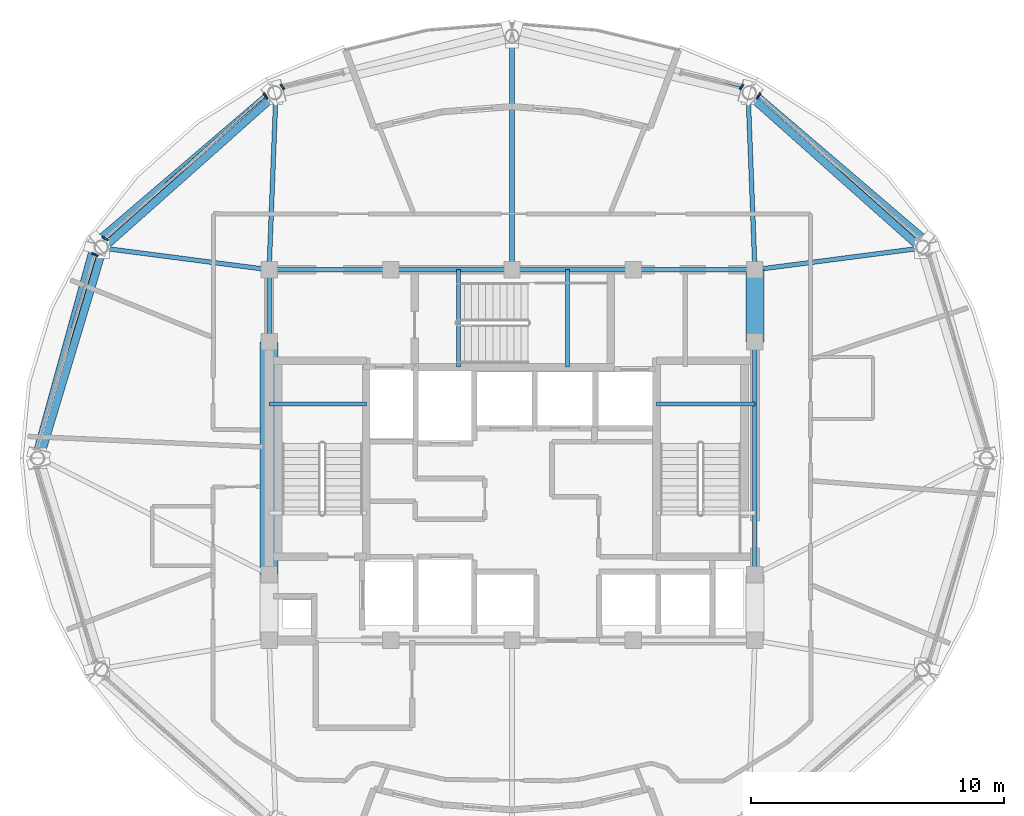
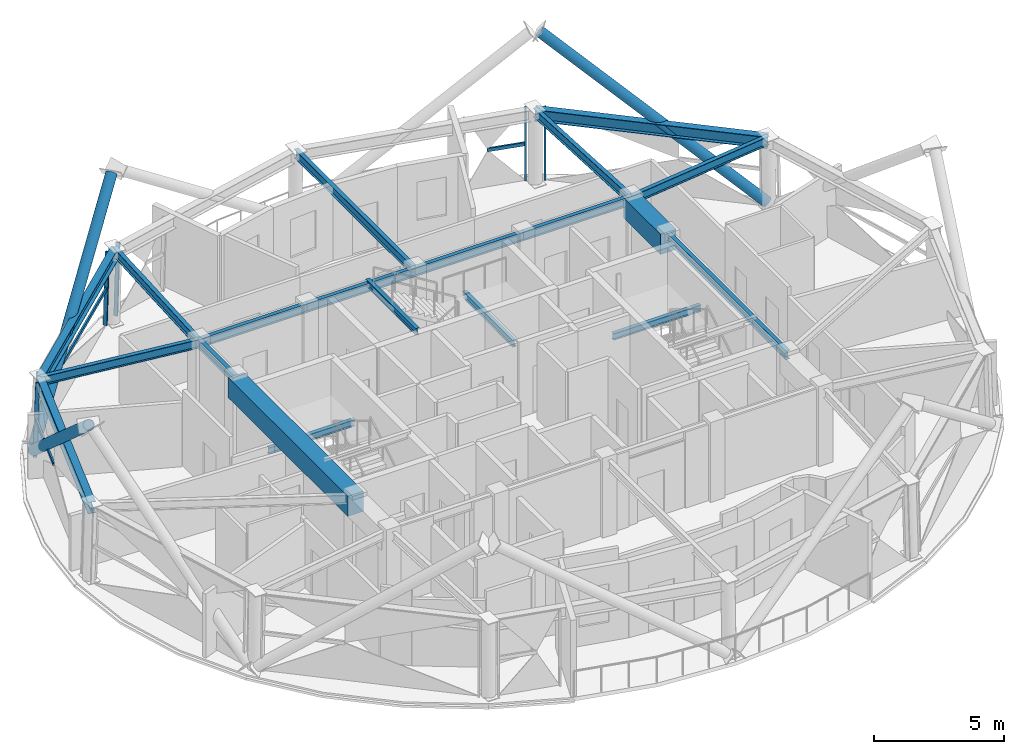
# One storey, part 3 of 13: 20 beams, 12 members, 5 elements without a shape of their own.
"""IFC4 building model written with IfcOpenShell, lengths in metres."""

import ifcopenshell
import ifcopenshell.guid

model = None  # the IFC model being written
_history = None  # IfcOwnerHistory: only IFC2X3 demands one
_inside = {}  # id of a spatial element -> (the spatial element, [elements in it])
_under = {}  # id of a project, library or spatial element -> (it, [spatial elements below it])
_declared = {}  # id of a project -> (the project, [libraries it declares])
_typed = {}  # id of a type object -> (the type object, [elements of that type])
_made_of = {}  # id of a material, layer set ... -> (it, [elements and type objects made of it])


def new_model(schema):
    """Start an empty IFC model of exactly this schema.

    Asked for "IFC4X3", IfcOpenShell would pick the latest addendum, in which some entities
    have other attributes; the version numbers below select the first issue.
    IFC2X3 requires an IfcOwnerHistory on every rooted entity: one is made here for all.
    """
    global model, _history
    if schema == "IFC4X3":
        model = ifcopenshell.file(schema_version=(4, 3, 0, 0))
    else:
        model = ifcopenshell.file(schema=schema)
    _inside.clear()
    _under.clear()
    _declared.clear()
    _typed.clear()
    _made_of.clear()
    _history = None
    if model.schema == "IFC2X3":
        org = make("IfcOrganization", Name="unknown")
        user = make(
            "IfcPersonAndOrganization",
            ThePerson=make("IfcPerson", FamilyName="unknown"),
            TheOrganization=org,
        )
        app = make(
            "IfcApplication",
            ApplicationDeveloper=org,
            Version="unknown",
            ApplicationFullName="unknown",
            ApplicationIdentifier="unknown",
        )
        _history = make(
            "IfcOwnerHistory",
            OwningUser=user,
            OwningApplication=app,
            ChangeAction="ADDED",
            CreationDate=0,
        )
    return model


def make(cls, **values):
    """One entity of the class cls with the attributes given. An attribute that is None is left unset."""
    return model.create_entity(
        cls, **{name: value for name, value in values.items() if value is not None}
    )


def rooted(cls, **values):
    """An entity with a GlobalId (a new one), such as an element, a storey or a relation."""
    return make(cls, GlobalId=ifcopenshell.guid.new(), OwnerHistory=_history, **values)


def si_unit(unit_type, name, prefix=None):
    """IfcSIUnit, for example si_unit("LENGTHUNIT", "METRE", prefix="MILLI")."""
    return make("IfcSIUnit", UnitType=unit_type, Prefix=prefix, Name=name)


def assignment(units):
    """IfcUnitAssignment: the units of a project."""
    return None if units is None else make("IfcUnitAssignment", Units=units)


def point(xyz):
    """IfcCartesianPoint."""
    return None if xyz is None else make("IfcCartesianPoint", Coordinates=xyz)


def direction(xyz):
    """IfcDirection."""
    return None if xyz is None else make("IfcDirection", DirectionRatios=xyz)


def frame(location, z_axis=None, x_axis=None):
    """IfcAxis2Placement3D, a coordinate frame: its origin and axes. An axis left out is left unset."""
    return make(
        "IfcAxis2Placement3D",
        Location=point(location),
        Axis=direction(z_axis),
        RefDirection=direction(x_axis),
    )


def frame_2d(location, x_axis=None):
    """IfcAxis2Placement2D, a coordinate frame in the plane: its origin and x axis."""
    return make(
        "IfcAxis2Placement2D", Location=point(location), RefDirection=direction(x_axis)
    )


def origin():
    """The frame at (0, 0, 0) with its axes left unset."""
    return frame((0.0, 0.0, 0.0))


def origin_2d():
    """The frame at (0, 0) in the plane with its x axis left unset."""
    return frame_2d((0.0, 0.0))


def place(relative_to, where):
    """IfcLocalPlacement: puts the frame where relative to a parent placement (None: the world)."""
    return make(
        "IfcLocalPlacement", PlacementRelTo=relative_to, RelativePlacement=where
    )


def context(
    kind, dimensions, precision=None, world=None, true_north=None, identifier=None
):
    """IfcGeometricRepresentationContext, for example the 3D "Model" context."""
    return make(
        "IfcGeometricRepresentationContext",
        ContextIdentifier=identifier,
        ContextType=kind,
        CoordinateSpaceDimension=dimensions,
        Precision=precision,
        WorldCoordinateSystem=world,
        TrueNorth=true_north,
    )


def subcontext(parent, identifier, kind, view, scale=None):
    """IfcGeometricRepresentationSubContext, for example "Body" below "Model"."""
    return make(
        "IfcGeometricRepresentationSubContext",
        ContextIdentifier=identifier,
        ContextType=kind,
        ParentContext=parent,
        TargetScale=scale,
        TargetView=view,
    )


def project(units=None, contexts=None):
    """IfcProject with its units and contexts."""
    return rooted(
        "IfcProject",
        Name="project",
        RepresentationContexts=contexts,
        UnitsInContext=assignment(units),
    )


def spatial(cls, under=None, at=None, **own):
    """A site, building, storey or space (cls), placed at a placement, below another one or the project."""
    s = rooted(cls, ObjectPlacement=at, **own)
    if under is not None:
        _under.setdefault(under.id(), (under, []))[1].append(s)
    return s


def profile(cls, at=None, kind="AREA", **sizes):
    """A parametric profile (cls). Its sizes go by their IFC names, for example OverallWidth=200.0."""
    return make(cls, ProfileType=kind, Position=at, **sizes)


def rectangle(**sizes):
    """IfcRectangleProfileDef."""
    return profile("IfcRectangleProfileDef", **sizes)


def hollow_rectangle(**sizes):
    """IfcRectangleHollowProfileDef."""
    return profile("IfcRectangleHollowProfileDef", **sizes)


def hollow_circle(**sizes):
    """IfcCircleHollowProfileDef."""
    return profile("IfcCircleHollowProfileDef", **sizes)


def i_section(**sizes):
    """IfcIShapeProfileDef."""
    return profile("IfcIShapeProfileDef", **sizes)


def extrude(swept, where, along, depth):
    """IfcExtrudedAreaSolid: the profile swept, set in the frame where, extruded along a direction by depth."""
    return make(
        "IfcExtrudedAreaSolid",
        SweptArea=swept,
        Position=where,
        ExtrudedDirection=direction(along),
        Depth=depth,
    )


def shape(context_of_items, identifier, shape_type, items):
    """IfcShapeRepresentation: the items that make up one representation, for example the "Body"."""
    return make(
        "IfcShapeRepresentation",
        ContextOfItems=context_of_items,
        RepresentationIdentifier=identifier,
        RepresentationType=shape_type,
        Items=items,
    )


def material(Name=None, Category=None):
    """IfcMaterial."""
    return make("IfcMaterial", Name=Name, Category=Category)


def layer(
    of_material, thickness, ventilated=None, Name=None, Category=None, Priority=None
):
    """IfcMaterialLayer: one layer of a wall or slab, of a material (None: an air gap)."""
    return make(
        "IfcMaterialLayer",
        Material=of_material,
        LayerThickness=thickness,
        IsVentilated=ventilated,
        Name=Name,
        Category=Category,
        Priority=Priority,
    )


def layer_set(layers, Name=None):
    """IfcMaterialLayerSet."""
    return make("IfcMaterialLayerSet", MaterialLayers=layers, LayerSetName=Name)


def material_profile(
    of_material, cross_section, Name=None, Category=None, Priority=None
):
    """IfcMaterialProfile: a cross section and its material."""
    return make(
        "IfcMaterialProfile",
        Name=Name,
        Material=of_material,
        Profile=cross_section,
        Priority=Priority,
        Category=Category,
    )


def profile_set(profiles, Name=None, composite=None):
    """IfcMaterialProfileSet."""
    return make(
        "IfcMaterialProfileSet",
        Name=Name,
        MaterialProfiles=profiles,
        CompositeProfile=composite,
    )


def made_of(thing, what):
    """Note that an element or type object is made of a material, layer set ...; save() writes the relation."""
    if what is not None:
        _made_of.setdefault(what.id(), (what, []))[1].append(thing)
    return thing


def type_object(cls, material=None, **own):
    """A type object (cls), such as IfcWallType, which elements share."""
    return made_of(rooted(cls, **own), material)


def element(
    cls,
    number,
    at=None,
    inside=None,
    cuts=None,
    type_object=None,
    material=None,
    context=None,
    identifier="Body",
    shape_type=None,
    held_by="IfcProductDefinitionShape",
    body=None,
    shapes=None,
    **own,
):
    """One element of the class cls, such as IfcWall. Its Tag is "e" and its number.

    at: its placement. inside: the storey or other place that contains it. cuts: it is an
    opening in that element (IfcRelVoidsElement). A single representation is given by context,
    identifier, shape_type and body (its items); several are given by shapes. held_by: the class
    of the entity that holds the representations. save() writes the other relations.
    """
    e = rooted(cls, Tag="e%d" % number, ObjectPlacement=at, **own)
    if body is not None:
        shapes = [shape(context, identifier, shape_type, body)]
    if shapes is not None:
        e.Representation = make(held_by, Representations=shapes)
    if inside is not None:
        _inside.setdefault(inside.id(), (inside, []))[1].append(e)
    if cuts is not None:
        rooted(
            "IfcRelVoidsElement", RelatingBuildingElement=cuts, RelatedOpeningElement=e
        )
    if type_object is not None:
        _typed.setdefault(type_object.id(), (type_object, []))[1].append(e)
    return made_of(e, material)


def aggregate(whole, parts):
    """IfcRelAggregates: a whole, such as a stair, and the parts it consists of."""
    return rooted("IfcRelAggregates", RelatingObject=whole, RelatedObjects=parts)


def save(model, path):
    """Write the relations noted so far, then the file.

    IfcRelAggregates (storeys below a building ...), IfcRelContainedInSpatialStructure (elements
    in a storey), IfcRelDefinesByType, IfcRelAssociatesMaterial and IfcRelDeclares: one each for
    every whole, place, type object, material and project.
    """
    for whole, parts in _under.values():
        aggregate(whole, parts)
    for where, things in _inside.values():
        rooted(
            "IfcRelContainedInSpatialStructure",
            RelatedElements=things,
            RelatingStructure=where,
        )
    for kind, things in _typed.values():
        rooted("IfcRelDefinesByType", RelatedObjects=things, RelatingType=kind)
    for what, things in _made_of.values():
        rooted("IfcRelAssociatesMaterial", RelatedObjects=things, RelatingMaterial=what)
    for by, libraries in _declared.values():
        rooted("IfcRelDeclares", RelatingContext=by, RelatedDefinitions=libraries)
    model.write(path)


model = new_model("IFC4")

# Units and contexts
model_context = context("Model", 3, precision=1e-05, world=origin(), true_north=direction((0.0, 1.0)))
body_context = subcontext(model_context, "Body", "Model", "MODEL_VIEW")
ifc_project = project(units=[si_unit("LENGTHUNIT", "METRE"), si_unit("AREAUNIT", "SQUARE_METRE"), si_unit("VOLUMEUNIT", "CUBIC_METRE"), si_unit("PLANEANGLEUNIT", "RADIAN"), si_unit("MASSUNIT", "GRAM", prefix="KILO")], contexts=[model_context])

# Site, building, storey
site_placement = place(None, origin())
site = spatial("IfcSite", under=ifc_project, at=site_placement, CompositionType="ELEMENT")
building_placement = place(site_placement, origin())
building = spatial("IfcBuilding", under=site, at=building_placement, Name="Vantalir Tower", CompositionType="ELEMENT")
storey_placement = place(building_placement, frame((0.0, 0.0, 282.60009765625)))
storey = spatial("IfcBuildingStorey", under=building, at=storey_placement, Name="L71", CompositionType="ELEMENT", Elevation=282.60009765625)

# Beams
ifc_material_1 = material(Name="Concrete C60/75", Category="concrete")
ifc_material_profile_1 = material_profile(ifc_material_1, rectangle(XDim=0.699951171875, YDim=0.949951171875, at=origin_2d()), Name="Concrete C60/75")
ifc_profile_set_1 = profile_set([ifc_material_profile_1], Name="Concrete C60/75")
beam_type_1 = type_object("IfcBeamType", Name="BM-CB-700x950", PredefinedType="USERDEFINED", material=ifc_profile_set_1)
beam_1_placement = place(storey_placement, frame((41.10009765625, 29.60009765625, 3.094970703125), z_axis=(0.0, 1.0, 0.0), x_axis=(-1.0, 0.0, 0.0)))
element("IfcBeam", 1, at=beam_1_placement, inside=storey, type_object=beam_type_1, Name="L71 Core Coupling Girder 07", ObjectType="GIRDER", PredefinedType="USERDEFINED", context=body_context, shape_type="SweptSolid", body=[
    extrude(rectangle(XDim=0.699951171875, YDim=0.949951171875, at=origin_2d()), origin(), (0.0, 0.0, 1.0), 2.849853515625),
])
beam_2_placement = place(storey_placement, frame((21.89990234375, 29.60009765625, 3.094970703125), z_axis=(0.0, -1.0, 0.0), x_axis=(1.0, 0.0, 0.0)))
element("IfcBeam", 2, at=beam_2_placement, inside=storey, type_object=beam_type_1, Name="L71 Core Coupling Girder 13", ObjectType="GIRDER", PredefinedType="USERDEFINED", context=body_context, shape_type="SweptSolid", body=[
    extrude(rectangle(XDim=0.699951171875, YDim=0.949951171875, at=origin_2d()), origin(), (0.0, 0.0, 1.0), 9.2001953125),
])
ifc_material_2 = material(Name="Steel S355", Category="steel")
ifc_material_profile_2 = material_profile(ifc_material_2, i_section(OverallWidth=0.166015625, OverallDepth=0.306884765625, WebThickness=0.006591796875, FlangeThickness=0.01171875, at=origin_2d()), Name="Steel S355")
ifc_profile_set_2 = profile_set([ifc_material_profile_2], Name="Steel S355")
beam_type_2 = type_object("IfcBeamType", Name="BM-JS-305x165", PredefinedType="JOIST", material=ifc_profile_set_2)
beam_3_placement = place(storey_placement, frame((21.89990234375, 27.14501953125, 1.52099609375), z_axis=(1.0, 0.0, 0.0), x_axis=(0.0, 1.0, 0.0)))
element("IfcBeam", 3, at=beam_3_placement, inside=storey, type_object=beam_type_2, Name="L71 Stair ST1 Half-Landing Support Beam", PredefinedType="JOIST", context=body_context, shape_type="SweptSolid", body=[
    extrude(i_section(OverallWidth=0.166015625, OverallDepth=0.306884765625, WebThickness=0.006591796875, FlangeThickness=0.01171875, at=origin_2d()), origin(), (0.0, 0.0, 1.0), 3.840087890625),
])
beam_4_placement = place(storey_placement, frame((37.2099609375, 27.14501953125, 1.52099609375), z_axis=(1.0, 0.0, 0.0), x_axis=(0.0, 1.0, 0.0)))
element("IfcBeam", 4, at=beam_4_placement, inside=storey, type_object=beam_type_2, Name="L71 Stair ST2 Half-Landing Support Beam", PredefinedType="JOIST", context=body_context, shape_type="SweptSolid", body=[
    extrude(i_section(OverallWidth=0.166015625, OverallDepth=0.306884765625, WebThickness=0.006591796875, FlangeThickness=0.01171875, at=origin_2d()), origin(), (0.0, 0.0, 1.0), 3.89013671875),
])
for number, where, z_axis, x_axis, name in (
    (5, (29.385009765625, 28.60009765625, 3.595947265625), (0.0, 1.0, 0.0), (-1.0, 0.0, 0.0), "L72 Stair ST3 Well Nosing Trimmer Beam"),
    (6, (33.695068359375, 28.60009765625, 1.52099609375), (0.0, 1.0, 0.0), (-1.0, 0.0, 0.0), "L71 Stair ST3 Half-Landing Support Beam"),
):
    element("IfcBeam", number, at=place(storey_placement, frame(where, z_axis=z_axis, x_axis=x_axis)), inside=storey, type_object=beam_type_2, Name=name, PredefinedType="JOIST", context=body_context, shape_type="SweptSolid", body=[
        extrude(i_section(OverallWidth=0.166015625, OverallDepth=0.306884765625, WebThickness=0.006591796875, FlangeThickness=0.01171875, at=origin_2d()), origin(), (0.0, 0.0, 1.0), 3.849853515625),
    ])
ifc_material_profile_3 = material_profile(ifc_material_2, i_section(OverallWidth=0.179931640625, OverallDepth=0.4130859375, WebThickness=0.009521484375, FlangeThickness=0.01611328125, at=origin_2d()), Name="Steel S355")
ifc_profile_set_3 = profile_set([ifc_material_profile_3], Name="Steel S355")
beam_type_3 = type_object("IfcBeamType", Name="BM-RB-406x178", PredefinedType="BEAM", material=ifc_profile_set_3)
beam_5_placement = place(storey_placement, frame((41.10009765625, 20.39990234375, 3.364013671875), z_axis=(0.0, 1.0, 0.0), x_axis=(-1.0, 0.0, 0.0)))
element("IfcBeam", 7, at=beam_5_placement, inside=storey, type_object=beam_type_3, Name="L71 Core Coupling Girder 06", PredefinedType="BEAM", context=body_context, shape_type="SweptSolid", body=[
    extrude(i_section(OverallWidth=0.179931640625, OverallDepth=0.4130859375, WebThickness=0.009521484375, FlangeThickness=0.01611328125, at=origin_2d()), origin(), (0.0, 0.0, 1.0), 9.2001953125),
])
for number, where, z_axis, x_axis, name in (
    (8, (41.10009765625, 32.449951171875, 3.364013671875), (-1.0, 0.0, 0.0), (0.0, -1.0, 0.0), "L71 Core Coupling Girder 08"),
    (9, (36.300048828125, 32.449951171875, 3.364013671875), (-1.0, 0.0, 0.0), (0.0, -1.0, 0.0), "L71 Core Coupling Girder 09"),
    (10, (31.5, 32.449951171875, 3.364013671875), (-1.0, 0.0, 0.0), (0.0, -1.0, 0.0), "L71 Core Coupling Girder 10"),
    (11, (26.699951171875, 32.449951171875, 3.364013671875), (-1.0, 0.0, 0.0), (0.0, -1.0, 0.0), "L71 Core Coupling Girder 11"),
):
    element("IfcBeam", number, at=place(storey_placement, frame(where, z_axis=z_axis, x_axis=x_axis)), inside=storey, type_object=beam_type_3, Name=name, PredefinedType="BEAM", context=body_context, shape_type="SweptSolid", body=[
        extrude(i_section(OverallWidth=0.179931640625, OverallDepth=0.4130859375, WebThickness=0.009521484375, FlangeThickness=0.01611328125, at=origin_2d()), origin(), (0.0, 0.0, 1.0), 4.800048828125),
    ])
beam_6_placement = place(storey_placement, frame((21.89990234375, 32.449951171875, 3.364013671875), z_axis=(0.0, -1.0, 0.0), x_axis=(1.0, 0.0, 0.0)))
element("IfcBeam", 12, at=beam_6_placement, inside=storey, type_object=beam_type_3, Name="L71 Core Coupling Girder 12", PredefinedType="BEAM", context=body_context, shape_type="SweptSolid", body=[
    extrude(i_section(OverallWidth=0.179931640625, OverallDepth=0.4130859375, WebThickness=0.009521484375, FlangeThickness=0.01611328125, at=origin_2d()), origin(), (0.0, 0.0, 1.0), 2.849853515625),
])
beam_7_placement = place(storey_placement, frame((47.6640625, 33.302978515625, 3.364013671875), z_axis=(-0.991661180383, -0.128872430419, 0.0), x_axis=(0.128872430419, -0.991661180383, 0.0)))
element("IfcBeam", 13, at=beam_7_placement, inside=storey, type_object=beam_type_3, Name="L71 Radial Floor Beam 02", PredefinedType="BEAM", context=body_context, shape_type="SweptSolid", body=[
    extrude(i_section(OverallWidth=0.179931640625, OverallDepth=0.4130859375, WebThickness=0.009521484375, FlangeThickness=0.01611328125, at=origin_2d()), origin(), (0.0, 0.0, 1.0), 6.619140625),
])
beam_8_placement = place(storey_placement, frame((40.8330078125, 39.381103515625, 3.364013671875), z_axis=(0.038506116616, -0.99925836448, 0.0), x_axis=(0.99925836448, 0.038506116616, 0.0)))
element("IfcBeam", 14, at=beam_8_placement, inside=storey, type_object=beam_type_3, Name="L71 Radial Floor Beam 03", PredefinedType="BEAM", context=body_context, shape_type="SweptSolid", body=[
    extrude(i_section(OverallWidth=0.179931640625, OverallDepth=0.4130859375, WebThickness=0.009521484375, FlangeThickness=0.01611328125, at=origin_2d()), origin(), (0.0, 0.0, 1.0), 6.936279296875),
])
beam_9_placement = place(storey_placement, frame((31.5, 41.60595703125, 3.364013671875), z_axis=(0.0, -1.0, 0.0), x_axis=(1.0, 0.0, 0.0)))
element("IfcBeam", 15, at=beam_9_placement, inside=storey, type_object=beam_type_3, Name="L71 Radial Floor Beam 04", PredefinedType="BEAM", context=body_context, shape_type="SweptSolid", body=[
    extrude(i_section(OverallWidth=0.179931640625, OverallDepth=0.4130859375, WebThickness=0.009521484375, FlangeThickness=0.01611328125, at=origin_2d()), origin(), (0.0, 0.0, 1.0), 9.156005859375),
])
beam_10_placement = place(storey_placement, frame((22.16796875, 39.381103515625, 3.364013671875), z_axis=(-0.038646696908, -0.999252937358, 0.0), x_axis=(0.999252937358, -0.038646696908, 0.0)))
element("IfcBeam", 16, at=beam_10_placement, inside=storey, type_object=beam_type_3, Name="L71 Radial Floor Beam 05", PredefinedType="BEAM", context=body_context, shape_type="SweptSolid", body=[
    extrude(i_section(OverallWidth=0.179931640625, OverallDepth=0.4130859375, WebThickness=0.009521484375, FlangeThickness=0.01611328125, at=origin_2d()), origin(), (0.0, 0.0, 1.0), 6.936279296875),
])
beam_11_placement = place(storey_placement, frame((15.3359375, 33.302978515625, 3.364013671875), z_axis=(0.991661180383, -0.128872430419, 0.0), x_axis=(0.128872430419, 0.991661180383, 0.0)))
element("IfcBeam", 17, at=beam_11_placement, inside=storey, type_object=beam_type_3, Name="L71 Radial Floor Beam 06", PredefinedType="BEAM", context=body_context, shape_type="SweptSolid", body=[
    extrude(i_section(OverallWidth=0.179931640625, OverallDepth=0.4130859375, WebThickness=0.009521484375, FlangeThickness=0.01611328125, at=origin_2d()), origin(), (0.0, 0.0, 1.0), 6.619140625),
])
ifc_material_3 = material(Name="Steel S460", Category="steel")
ifc_material_profile_4 = material_profile(ifc_material_3, i_section(OverallWidth=0.31201171875, OverallDepth=0.5419921875, WebThickness=0.0126953125, FlangeThickness=0.020263671875, at=origin_2d()), Name="Steel S460")
ifc_profile_set_4 = profile_set([ifc_material_profile_4], Name="Steel S460")
beam_type_4 = type_object("IfcBeamType", Name="BM-RG-533x312", PredefinedType="USERDEFINED", material=ifc_profile_set_4)
beam_12_placement = place(storey_placement, frame((47.6640625, 33.302978515625, 3.298828125), z_axis=(-0.747079245469, 0.664734985532, 0.0), x_axis=(-0.664734985532, -0.747079245469, 0.0)))
element("IfcBeam", 18, at=beam_12_placement, inside=storey, type_object=beam_type_4, Name="L71 Circumferential Ring Girder 02", ObjectType="GIRDER", PredefinedType="USERDEFINED", context=body_context, shape_type="SweptSolid", body=[
    extrude(i_section(OverallWidth=0.31201171875, OverallDepth=0.5419921875, WebThickness=0.0126953125, FlangeThickness=0.020263671875, at=origin_2d()), origin(), (0.0, 0.0, 1.0), 9.143798828125),
])
beam_13_placement = place(storey_placement, frame((22.16796875, 39.381103515625, 3.298828125), z_axis=(-0.747126432651, -0.664681949231, 0.0), x_axis=(0.664681949231, -0.747126432651, 0.0)))
element("IfcBeam", 19, at=beam_13_placement, inside=storey, type_object=beam_type_4, Name="L71 Circumferential Ring Girder 05", ObjectType="GIRDER", PredefinedType="USERDEFINED", context=body_context, shape_type="SweptSolid", body=[
    extrude(i_section(OverallWidth=0.31201171875, OverallDepth=0.5419921875, WebThickness=0.0126953125, FlangeThickness=0.020263671875, at=origin_2d()), origin(), (0.0, 0.0, 1.0), 9.14453125),
])
beam_14_placement = place(storey_placement, frame((15.3359375, 33.302978515625, 3.298828125), z_axis=(-0.288414477958, -0.957505659985, 0.0), x_axis=(0.957505659985, -0.288414477958, 0.0)))
element("IfcBeam", 20, at=beam_14_placement, inside=storey, type_object=beam_type_4, Name="L71 Circumferential Ring Girder 06", ObjectType="GIRDER", PredefinedType="USERDEFINED", context=body_context, shape_type="SweptSolid", body=[
    extrude(i_section(OverallWidth=0.31201171875, OverallDepth=0.5419921875, WebThickness=0.0126953125, FlangeThickness=0.020263671875, at=origin_2d()), origin(), (0.0, 0.0, 1.0), 8.67138671875),
])

# Curtain wall, member
ifc_material_4 = material(Name="Champagne-silver PVDF aluminium and double-silver Low-E glass", Category="aluminium")
ifc_layer = layer(ifc_material_4, 0.219970703125)
ifc_layer_set = layer_set([ifc_layer], Name="Champagne-silver PVDF aluminium and double-silver Low-E glass")
curtain_wall_type = type_object("IfcCurtainWallType", Name="CW-DIAMOND-Z4", PredefinedType="USERDEFINED", material=ifc_layer_set)
curtain_wall_1_placement = place(storey_placement, origin())
curtain_wall_1 = element("IfcCurtainWall", 21, at=curtain_wall_1_placement, inside=storey, type_object=curtain_wall_type, Name="L71 Quilted Pyramid-Diamond Curtain Wall S02", ObjectType="UNITISED CURTAIN WALL", PredefinedType="USERDEFINED")
ifc_material_5 = material(Name="Champagne-silver PVDF aluminium 6063-T6", Category="aluminium")
ifc_material_profile_5 = material_profile(ifc_material_5, hollow_rectangle(XDim=0.070068359375, YDim=0.1650390625, WallThickness=0.00390625, at=origin_2d()), Name="Champagne-silver PVDF aluminium 6063-T6")
ifc_profile_set_5 = profile_set([ifc_material_profile_5], Name="Champagne-silver PVDF aluminium 6063-T6")
member_type_1 = type_object("IfcMemberType", Name="CWM-165x70", PredefinedType="MULLION", material=ifc_profile_set_5)
member_1_placement = place(storey_placement, frame((41.27099609375, 39.367919921875, 0.044921875), z_axis=(-0.014937479726, -0.023212703237, 0.999618948454), x_axis=(0.840930749774, -0.541142748344, 0.0)))
member_1 = element("IfcMember", 22, at=member_1_placement, type_object=member_type_1, Name="CW-L71-S02 Mullion 2", PredefinedType="MULLION", context=body_context, shape_type="SweptSolid", body=[
    extrude(hollow_rectangle(XDim=0.070068359375, YDim=0.1650390625, WallThickness=0.00390625, at=origin_2d()), origin(), (0.0, 0.0, 1.0), 3.481201171875),
])
aggregate(curtain_wall_1, [member_1])

curtain_wall_2_placement = place(storey_placement, origin())
curtain_wall_2 = element("IfcCurtainWall", 23, at=curtain_wall_2_placement, inside=storey, type_object=curtain_wall_type, Name="L71 Quilted Pyramid-Diamond Curtain Wall S03", ObjectType="UNITISED CURTAIN WALL", PredefinedType="USERDEFINED")
member_2_placement = place(storey_placement, frame((40.60107421875, 39.718017578125, 0.044921875), z_axis=(-0.014937455373, -0.023282794291, 0.999617318736), x_axis=(0.841672342527, -0.539988581199, 0.0)))
member_2 = element("IfcMember", 24, at=member_2_placement, type_object=member_type_1, Name="CW-L71-S03 Mullion 1", PredefinedType="MULLION", context=body_context, shape_type="SweptSolid", body=[
    extrude(hollow_rectangle(XDim=0.070068359375, YDim=0.1650390625, WallThickness=0.00390625, at=origin_2d()), origin(), (0.0, 0.0, 1.0), 3.481201171875),
])

curtain_wall_3_placement = place(storey_placement, origin())
curtain_wall_3 = element("IfcCurtainWall", 25, at=curtain_wall_3_placement, inside=storey, type_object=curtain_wall_type, Name="L71 Quilted Pyramid-Diamond Curtain Wall S04", ObjectType="UNITISED CURTAIN WALL", PredefinedType="USERDEFINED")
member_3_placement = place(storey_placement, frame((22.39892578125, 39.718017578125, 0.044921875), z_axis=(0.015217906603, -0.023282695816, 0.999613090848), x_axis=(0.837058434918, 0.547113495112, 0.0)))
member_3 = element("IfcMember", 26, at=member_3_placement, type_object=member_type_1, Name="CW-L71-S04 Mullion 2", PredefinedType="MULLION", context=body_context, shape_type="SweptSolid", body=[
    extrude(hollow_rectangle(XDim=0.070068359375, YDim=0.1650390625, WallThickness=0.00390625, at=origin_2d()), origin(), (0.0, 0.0, 1.0), 3.4814453125),
])
aggregate(curtain_wall_3, [member_3])

# Curtain wall, members
curtain_wall_4_placement = place(storey_placement, origin())
curtain_wall_4 = element("IfcCurtainWall", 27, at=curtain_wall_4_placement, inside=storey, type_object=curtain_wall_type, Name="L71 Quilted Pyramid-Diamond Curtain Wall S05", ObjectType="UNITISED CURTAIN WALL", PredefinedType="USERDEFINED")
member_4_placement = place(storey_placement, frame((21.72900390625, 39.367919921875, 0.044921875), z_axis=(0.015217931413, -0.023212605058, 0.999614720545), x_axis=(0.836301342916, 0.548270064691, 0.0)))
member_4 = element("IfcMember", 28, at=member_4_placement, type_object=member_type_1, Name="CW-L71-S05 Mullion 1", PredefinedType="MULLION", context=body_context, shape_type="SweptSolid", body=[
    extrude(hollow_rectangle(XDim=0.070068359375, YDim=0.1650390625, WallThickness=0.00390625, at=origin_2d()), origin(), (0.0, 0.0, 1.0), 3.481201171875),
])
member_5_placement = place(storey_placement, frame((15.37109375, 33.7041015625, 0.044921875), z_axis=(0.026086664737, -0.013534210468, 0.99956806225), x_axis=(0.460526100671, 0.887646162951, 0.0)))
member_5 = element("IfcMember", 29, at=member_5_placement, type_object=member_type_1, Name="CW-L71-S05 Mullion 2", PredefinedType="MULLION", context=body_context, shape_type="SweptSolid", body=[
    extrude(hollow_rectangle(XDim=0.070068359375, YDim=0.1650390625, WallThickness=0.00390625, at=origin_2d()), origin(), (0.0, 0.0, 1.0), 3.4814453125),
])

# Curtain wall, member
curtain_wall_5_placement = place(storey_placement, origin())
curtain_wall_5 = element("IfcCurtainWall", 30, at=curtain_wall_5_placement, inside=storey, type_object=curtain_wall_type, Name="L71 Quilted Pyramid-Diamond Curtain Wall S06", ObjectType="UNITISED CURTAIN WALL", PredefinedType="USERDEFINED")
member_6_placement = place(storey_placement, frame((14.968017578125, 33.072021484375, 0.044921875), z_axis=(0.026156742266, -0.013534185676, 0.999566231248), x_axis=(0.459552467317, 0.888150623364, 0.0)))
member_6 = element("IfcMember", 31, at=member_6_placement, type_object=member_type_1, Name="CW-L71-S06 Mullion 1", PredefinedType="MULLION", context=body_context, shape_type="SweptSolid", body=[
    extrude(hollow_rectangle(XDim=0.070068359375, YDim=0.1650390625, WallThickness=0.00390625, at=origin_2d()), origin(), (0.0, 0.0, 1.0), 3.4814453125),
])

# Member
ifc_material_profile_6 = material_profile(ifc_material_5, hollow_rectangle(XDim=0.074951171875, YDim=0.159912109375, WallThickness=0.00390625, at=origin_2d()), Name="Champagne-silver PVDF aluminium 6063-T6")
ifc_profile_set_6 = profile_set([ifc_material_profile_6], Name="Champagne-silver PVDF aluminium 6063-T6")
member_type_2 = type_object("IfcMemberType", Name="CWT-160x75", PredefinedType="USERDEFINED", material=ifc_profile_set_6)
member_7_placement = place(storey_placement, frame((40.574951171875, 39.677001953125, 1.784912109375), z_axis=(-0.968930814317, 0.247331916799, 0.0), x_axis=(-0.247331916799, -0.968930814317, 0.0)))
member_7 = element("IfcMember", 32, at=member_7_placement, type_object=member_type_2, Name="CW-L71-S03 Pyramid Fold Ridge Transom", ObjectType="TRANSOM", PredefinedType="USERDEFINED", context=body_context, shape_type="SweptSolid", body=[
    extrude(hollow_rectangle(XDim=0.074951171875, YDim=0.159912109375, WallThickness=0.00390625, at=origin_2d()), origin(), (0.0, 0.0, 1.0), 1.52001953125),
])

aggregate(curtain_wall_2, [member_2, member_7])

member_8_placement = place(storey_placement, frame((21.7548828125, 39.326904296875, 1.784912109375), z_axis=(-0.749620014517, -0.661868441486, 0.0), x_axis=(0.661868441486, -0.749620014517, 0.0)))
member_8 = element("IfcMember", 33, at=member_8_placement, type_object=member_type_2, Name="CW-L71-S05 Pyramid Fold Ridge Transom", ObjectType="TRANSOM", PredefinedType="USERDEFINED", context=body_context, shape_type="SweptSolid", body=[
    extrude(hollow_rectangle(XDim=0.074951171875, YDim=0.159912109375, WallThickness=0.00390625, at=origin_2d()), origin(), (0.0, 0.0, 1.0), 5.2666015625),
])

aggregate(curtain_wall_4, [member_4, member_5, member_8])

member_9_placement = place(storey_placement, frame((15.012939453125, 33.048095703125, 1.784912109375), z_axis=(-0.295425982837, -0.955365630879, 0.0), x_axis=(0.955365630879, -0.295425982837, 0.0)))
member_9 = element("IfcMember", 34, at=member_9_placement, type_object=member_type_2, Name="CW-L71-S06 Pyramid Fold Ridge Transom", ObjectType="TRANSOM", PredefinedType="USERDEFINED", context=body_context, shape_type="SweptSolid", body=[
    extrude(hollow_rectangle(XDim=0.074951171875, YDim=0.159912109375, WallThickness=0.00390625, at=origin_2d()), origin(), (0.0, 0.0, 1.0), 3.046142578125),
])

aggregate(curtain_wall_5, [member_6, member_9])

# Members
ifc_material_profile_7 = material_profile(ifc_material_3, hollow_circle(Radius=0.22998046875, WallThickness=0.028076171875, at=origin_2d()), Name="Steel S460")
ifc_profile_set_7 = profile_set([ifc_material_profile_7], Name="Steel S460")
member_type_3 = type_object("IfcMemberType", Name="MEM-DB-460x28", PredefinedType="BRACE", material=ifc_profile_set_7)
member_10_placement = place(storey_placement, frame((47.7880859375, 33.55810546875, 0.21484375), z_axis=(-0.60168259491, 0.514013487382, 0.611365839552), x_axis=(-0.649541572784, -0.760326078223, 0.0)))
element("IfcMember", 35, at=member_10_placement, inside=storey, type_object=member_type_3, Name="L71 Perimeter S460 Diagrid Brace R04L", PredefinedType="BRACE", context=body_context, shape_type="SweptSolid", body=[
    extrude(hollow_circle(Radius=0.22998046875, WallThickness=0.028076171875, at=origin_2d()), origin(), (0.0, 0.0, 1.0), 11.27001953125),
])
member_11_placement = place(storey_placement, frame((15.034912109375, 33.281005859375, 0.218994140625), z_axis=(-0.205979277598, -0.746397061832, 0.632822220919), x_axis=(0.963967239965, -0.266020977131, 0.0)))
element("IfcMember", 36, at=member_11_placement, inside=storey, type_object=member_type_3, Name="L71 Perimeter S460 Diagrid Brace R16L", PredefinedType="BRACE", context=body_context, shape_type="SweptSolid", body=[
    extrude(hollow_circle(Radius=0.22998046875, WallThickness=0.028076171875, at=origin_2d()), origin(), (0.0, 0.0, 1.0), 10.874755859375),
])
member_12_placement = place(storey_placement, frame((15.2119140625, 33.55810546875, 0.21484375), z_axis=(0.60168259491, 0.514013487382, 0.611365839552), x_axis=(-0.649541572784, 0.760326078223, 0.0)))
element("IfcMember", 37, at=member_12_placement, inside=storey, type_object=member_type_3, Name="L71 Perimeter S460 Diagrid Brace R16R", PredefinedType="BRACE", context=body_context, shape_type="SweptSolid", body=[
    extrude(hollow_circle(Radius=0.22998046875, WallThickness=0.028076171875, at=origin_2d()), origin(), (0.0, 0.0, 1.0), 11.27001953125),
])

save(model, "model.ifc")
